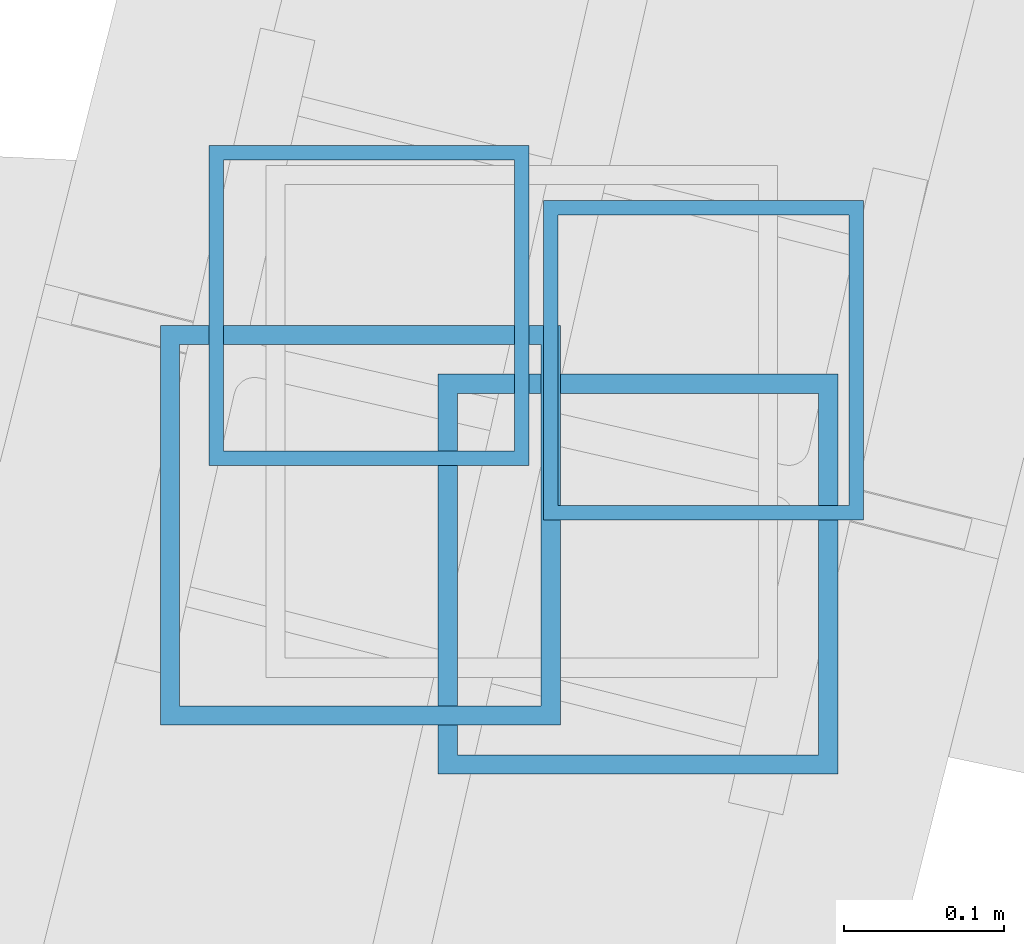
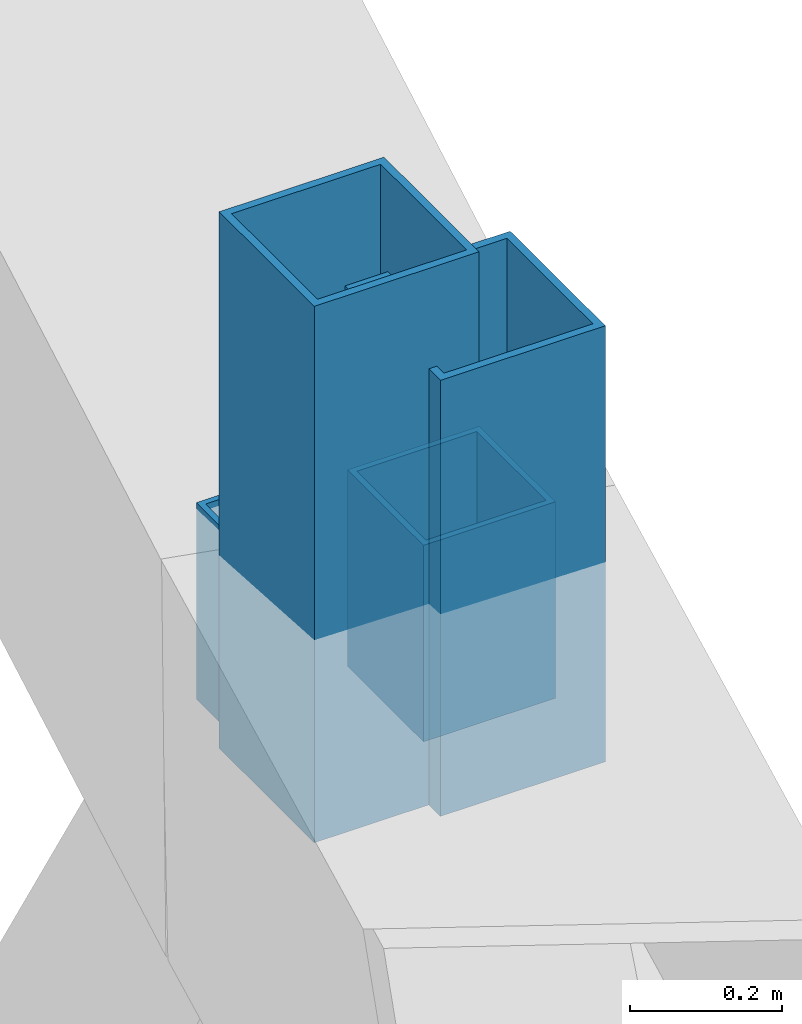
# One storey, part 132 of 162: 4 members.
"""IFC4 building model written with IfcOpenShell, lengths in metres."""

import ifcopenshell
import ifcopenshell.guid

model = None  # the IFC model being written
_history = None  # IfcOwnerHistory: only IFC2X3 demands one
_inside = {}  # id of a spatial element -> (the spatial element, [elements in it])
_under = {}  # id of a project, library or spatial element -> (it, [spatial elements below it])
_declared = {}  # id of a project -> (the project, [libraries it declares])
_typed = {}  # id of a type object -> (the type object, [elements of that type])
_made_of = {}  # id of a material, layer set ... -> (it, [elements and type objects made of it])


def new_model(schema):
    """Start an empty IFC model of exactly this schema.

    Asked for "IFC4X3", IfcOpenShell would pick the latest addendum, in which some entities
    have other attributes; the version numbers below select the first issue.
    IFC2X3 requires an IfcOwnerHistory on every rooted entity: one is made here for all.
    """
    global model, _history
    if schema == "IFC4X3":
        model = ifcopenshell.file(schema_version=(4, 3, 0, 0))
    else:
        model = ifcopenshell.file(schema=schema)
    _inside.clear()
    _under.clear()
    _declared.clear()
    _typed.clear()
    _made_of.clear()
    _history = None
    if model.schema == "IFC2X3":
        org = make("IfcOrganization", Name="unknown")
        user = make(
            "IfcPersonAndOrganization",
            ThePerson=make("IfcPerson", FamilyName="unknown"),
            TheOrganization=org,
        )
        app = make(
            "IfcApplication",
            ApplicationDeveloper=org,
            Version="unknown",
            ApplicationFullName="unknown",
            ApplicationIdentifier="unknown",
        )
        _history = make(
            "IfcOwnerHistory",
            OwningUser=user,
            OwningApplication=app,
            ChangeAction="ADDED",
            CreationDate=0,
        )
    return model


def make(cls, **values):
    """One entity of the class cls with the attributes given. An attribute that is None is left unset."""
    return model.create_entity(
        cls, **{name: value for name, value in values.items() if value is not None}
    )


def rooted(cls, **values):
    """An entity with a GlobalId (a new one), such as an element, a storey or a relation."""
    return make(cls, GlobalId=ifcopenshell.guid.new(), OwnerHistory=_history, **values)


def si_unit(unit_type, name, prefix=None):
    """IfcSIUnit, for example si_unit("LENGTHUNIT", "METRE", prefix="MILLI")."""
    return make("IfcSIUnit", UnitType=unit_type, Prefix=prefix, Name=name)


def assignment(units):
    """IfcUnitAssignment: the units of a project."""
    return None if units is None else make("IfcUnitAssignment", Units=units)


def point(xyz):
    """IfcCartesianPoint."""
    return None if xyz is None else make("IfcCartesianPoint", Coordinates=xyz)


def direction(xyz):
    """IfcDirection."""
    return None if xyz is None else make("IfcDirection", DirectionRatios=xyz)


def frame(location, z_axis=None, x_axis=None):
    """IfcAxis2Placement3D, a coordinate frame: its origin and axes. An axis left out is left unset."""
    return make(
        "IfcAxis2Placement3D",
        Location=point(location),
        Axis=direction(z_axis),
        RefDirection=direction(x_axis),
    )


def frame_2d(location, x_axis=None):
    """IfcAxis2Placement2D, a coordinate frame in the plane: its origin and x axis."""
    return make(
        "IfcAxis2Placement2D", Location=point(location), RefDirection=direction(x_axis)
    )


def origin():
    """The frame at (0, 0, 0) with its axes left unset."""
    return frame((0.0, 0.0, 0.0))


def origin_2d():
    """The frame at (0, 0) in the plane with its x axis left unset."""
    return frame_2d((0.0, 0.0))


def place(relative_to, where):
    """IfcLocalPlacement: puts the frame where relative to a parent placement (None: the world)."""
    return make(
        "IfcLocalPlacement", PlacementRelTo=relative_to, RelativePlacement=where
    )


def context(
    kind, dimensions, precision=None, world=None, true_north=None, identifier=None
):
    """IfcGeometricRepresentationContext, for example the 3D "Model" context."""
    return make(
        "IfcGeometricRepresentationContext",
        ContextIdentifier=identifier,
        ContextType=kind,
        CoordinateSpaceDimension=dimensions,
        Precision=precision,
        WorldCoordinateSystem=world,
        TrueNorth=true_north,
    )


def subcontext(parent, identifier, kind, view, scale=None):
    """IfcGeometricRepresentationSubContext, for example "Body" below "Model"."""
    return make(
        "IfcGeometricRepresentationSubContext",
        ContextIdentifier=identifier,
        ContextType=kind,
        ParentContext=parent,
        TargetScale=scale,
        TargetView=view,
    )


def project(units=None, contexts=None):
    """IfcProject with its units and contexts."""
    return rooted(
        "IfcProject",
        Name="project",
        RepresentationContexts=contexts,
        UnitsInContext=assignment(units),
    )


def spatial(cls, under=None, at=None, **own):
    """A site, building, storey or space (cls), placed at a placement, below another one or the project."""
    s = rooted(cls, ObjectPlacement=at, **own)
    if under is not None:
        _under.setdefault(under.id(), (under, []))[1].append(s)
    return s


def profile(cls, at=None, kind="AREA", **sizes):
    """A parametric profile (cls). Its sizes go by their IFC names, for example OverallWidth=200.0."""
    return make(cls, ProfileType=kind, Position=at, **sizes)


def hollow_rectangle(**sizes):
    """IfcRectangleHollowProfileDef."""
    return profile("IfcRectangleHollowProfileDef", **sizes)


def extrude(swept, where, along, depth):
    """IfcExtrudedAreaSolid: the profile swept, set in the frame where, extruded along a direction by depth."""
    return make(
        "IfcExtrudedAreaSolid",
        SweptArea=swept,
        Position=where,
        ExtrudedDirection=direction(along),
        Depth=depth,
    )


def shape(context_of_items, identifier, shape_type, items):
    """IfcShapeRepresentation: the items that make up one representation, for example the "Body"."""
    return make(
        "IfcShapeRepresentation",
        ContextOfItems=context_of_items,
        RepresentationIdentifier=identifier,
        RepresentationType=shape_type,
        Items=items,
    )


def material(Name=None, Category=None):
    """IfcMaterial."""
    return make("IfcMaterial", Name=Name, Category=Category)


def material_profile(
    of_material, cross_section, Name=None, Category=None, Priority=None
):
    """IfcMaterialProfile: a cross section and its material."""
    return make(
        "IfcMaterialProfile",
        Name=Name,
        Material=of_material,
        Profile=cross_section,
        Priority=Priority,
        Category=Category,
    )


def profile_set(profiles, Name=None, composite=None):
    """IfcMaterialProfileSet."""
    return make(
        "IfcMaterialProfileSet",
        Name=Name,
        MaterialProfiles=profiles,
        CompositeProfile=composite,
    )


def made_of(thing, what):
    """Note that an element or type object is made of a material, layer set ...; save() writes the relation."""
    if what is not None:
        _made_of.setdefault(what.id(), (what, []))[1].append(thing)
    return thing


def type_object(cls, material=None, **own):
    """A type object (cls), such as IfcWallType, which elements share."""
    return made_of(rooted(cls, **own), material)


def element(
    cls,
    number,
    at=None,
    inside=None,
    cuts=None,
    type_object=None,
    material=None,
    context=None,
    identifier="Body",
    shape_type=None,
    held_by="IfcProductDefinitionShape",
    body=None,
    shapes=None,
    **own,
):
    """One element of the class cls, such as IfcWall. Its Tag is "e" and its number.

    at: its placement. inside: the storey or other place that contains it. cuts: it is an
    opening in that element (IfcRelVoidsElement). A single representation is given by context,
    identifier, shape_type and body (its items); several are given by shapes. held_by: the class
    of the entity that holds the representations. save() writes the other relations.
    """
    e = rooted(cls, Tag="e%d" % number, ObjectPlacement=at, **own)
    if body is not None:
        shapes = [shape(context, identifier, shape_type, body)]
    if shapes is not None:
        e.Representation = make(held_by, Representations=shapes)
    if inside is not None:
        _inside.setdefault(inside.id(), (inside, []))[1].append(e)
    if cuts is not None:
        rooted(
            "IfcRelVoidsElement", RelatingBuildingElement=cuts, RelatedOpeningElement=e
        )
    if type_object is not None:
        _typed.setdefault(type_object.id(), (type_object, []))[1].append(e)
    return made_of(e, material)


def aggregate(whole, parts):
    """IfcRelAggregates: a whole, such as a stair, and the parts it consists of."""
    return rooted("IfcRelAggregates", RelatingObject=whole, RelatedObjects=parts)


def save(model, path):
    """Write the relations noted so far, then the file.

    IfcRelAggregates (storeys below a building ...), IfcRelContainedInSpatialStructure (elements
    in a storey), IfcRelDefinesByType, IfcRelAssociatesMaterial and IfcRelDeclares: one each for
    every whole, place, type object, material and project.
    """
    for whole, parts in _under.values():
        aggregate(whole, parts)
    for where, things in _inside.values():
        rooted(
            "IfcRelContainedInSpatialStructure",
            RelatedElements=things,
            RelatingStructure=where,
        )
    for kind, things in _typed.values():
        rooted("IfcRelDefinesByType", RelatedObjects=things, RelatingType=kind)
    for what, things in _made_of.values():
        rooted("IfcRelAssociatesMaterial", RelatedObjects=things, RelatingMaterial=what)
    for by, libraries in _declared.values():
        rooted("IfcRelDeclares", RelatingContext=by, RelatedDefinitions=libraries)
    model.write(path)


model = new_model("IFC4")

# Units and contexts
model_context = context("Model", 3, precision=1e-05, world=origin(), true_north=direction((0.0, 1.0)))
body_context = subcontext(model_context, "Body", "Model", "MODEL_VIEW")
ifc_project = project(units=[si_unit("LENGTHUNIT", "METRE"), si_unit("AREAUNIT", "SQUARE_METRE"), si_unit("VOLUMEUNIT", "CUBIC_METRE"), si_unit("PLANEANGLEUNIT", "RADIAN"), si_unit("MASSUNIT", "GRAM", prefix="KILO")], contexts=[model_context])

# Site, building, storey
site_placement = place(None, origin())
site = spatial("IfcSite", under=ifc_project, at=site_placement, CompositionType="ELEMENT")
building_placement = place(site_placement, origin())
building = spatial("IfcBuilding", under=site, at=building_placement, Name="Kazemori Nagisa Stadium", CompositionType="ELEMENT")
storey_placement = place(building_placement, frame((0.0, 0.0, 36.719970703125)))
storey = spatial("IfcBuildingStorey", under=building, at=storey_placement, Name="RF", CompositionType="ELEMENT", Elevation=36.719970703125)

# Members
ifc_material = material(Name="Steel STKR490", Category="steel")
ifc_material_profile_1 = material_profile(ifc_material, hollow_rectangle(XDim=0.25, YDim=0.25, WallThickness=0.011962890625, at=origin_2d()), Name="SHS-250x250x12")
ifc_profile_set_1 = profile_set([ifc_material_profile_1], Name="Steel STKR490")
member_type_1 = type_object("IfcMemberType", Name="Member_ST-SHS250", PredefinedType="STUD", material=ifc_profile_set_1)
member_1_placement = place(storey_placement, frame((141.50048828125, 174.9931640625, 5.56005859375), z_axis=(0.0, 0.0, 1.0), x_axis=(1.0, 0.0, 0.0)))
element("IfcMember", 1, at=member_1_placement, inside=storey, type_object=member_type_1, Name="Canopy bearing stool B06-mid-2", PredefinedType="STUD", context=body_context, shape_type="SweptSolid", body=[
    extrude(hollow_rectangle(XDim=0.25, YDim=0.25, WallThickness=0.011962890625, at=origin_2d()), origin(), (0.0, 0.0, 1.0), 0.698974609375),
])
member_2_placement = place(storey_placement, frame((141.326904296875, 175.023681640625, 5.56005859375), z_axis=(0.0, 0.0, 1.0), x_axis=(1.0, 0.0, 0.0)))
element("IfcMember", 2, at=member_2_placement, inside=storey, type_object=member_type_1, Name="Canopy bearing stool B07-mid-1", PredefinedType="STUD", context=body_context, shape_type="SweptSolid", body=[
    extrude(hollow_rectangle(XDim=0.25, YDim=0.25, WallThickness=0.011962890625, at=origin_2d()), origin(), (0.0, 0.0, 1.0), 0.85986328125),
])
ifc_material_profile_2 = material_profile(ifc_material, hollow_rectangle(XDim=0.199951171875, YDim=0.199951171875, WallThickness=0.009033203125, at=origin_2d()), Name="SHS-200x200x9")
ifc_profile_set_2 = profile_set([ifc_material_profile_2], Name="Steel STKR490")
member_type_2 = type_object("IfcMemberType", Name="Member_TS-SHS200", PredefinedType="STRUT", material=ifc_profile_set_2)
for number, where, z_axis, x_axis, name in (
    (3, (141.54150390625, 175.126953125, 5.56005859375), (0.0, 0.0, 1.0), (1.0, 0.0, 0.0), "Canopy bearing stool B06-outer-3"),
    (4, (141.332275390625, 175.1611328125, 5.56005859375), (0.0, 0.0, 1.0), (1.0, 0.0, 0.0), "Canopy bearing stool B07-outer-4"),
):
    element("IfcMember", number, at=place(storey_placement, frame(where, z_axis=z_axis, x_axis=x_axis)), inside=storey, type_object=member_type_2, Name=name, PredefinedType="STRUT", context=body_context, shape_type="SweptSolid", body=[
        extrude(hollow_rectangle(XDim=0.199951171875, YDim=0.199951171875, WallThickness=0.009033203125, at=origin_2d()), origin(), (0.0, 0.0, 1.0), 0.31494140625),
    ])

save(model, "model.ifc")
